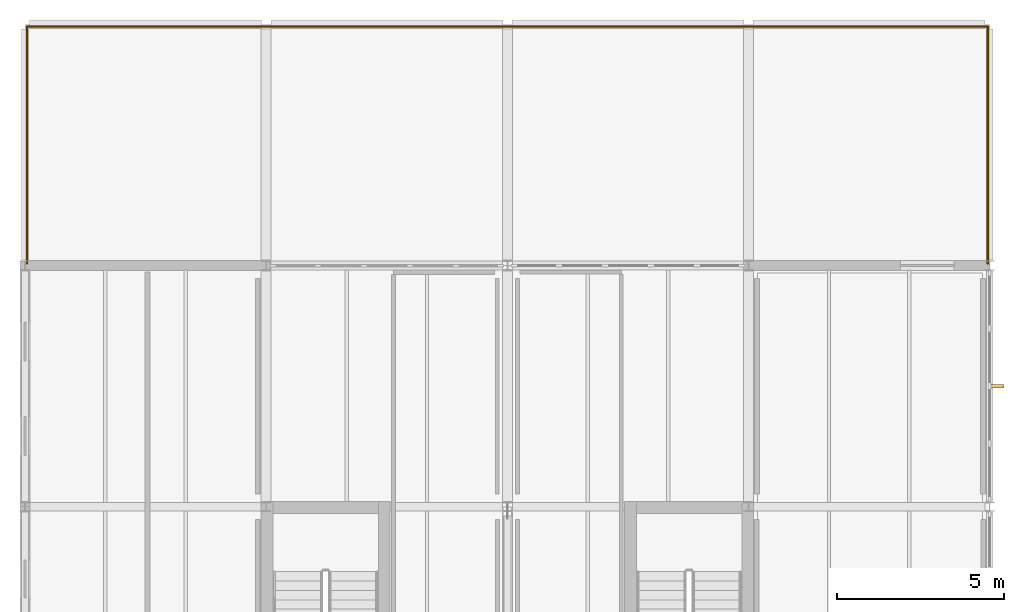
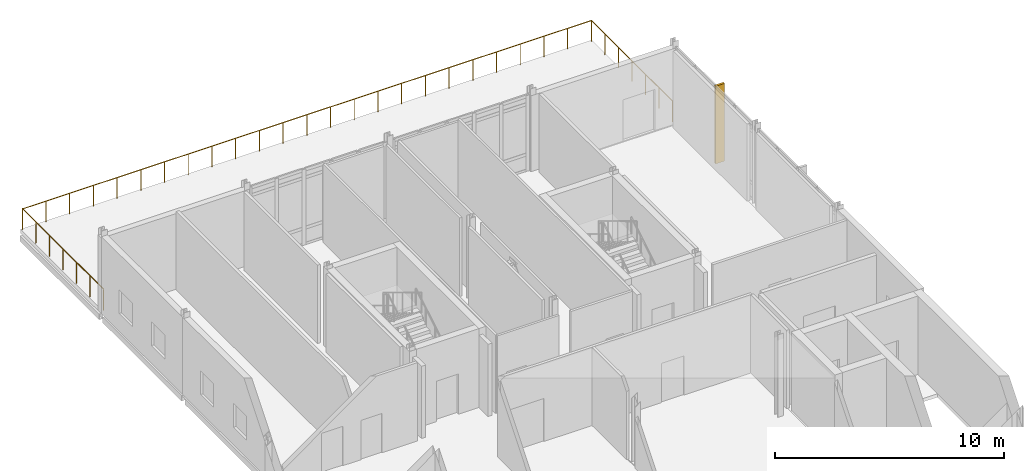
# One storey, part 12 of 12: 3 railings, 1 shading device.
"""IFC4 building model written with IfcOpenShell, lengths in metres."""

from ifc_helpers import new_model, si_unit, direction, frame, origin, origin_2d, place, context, subcontext, project, spatial, rectangle, circle, extrude, material, layer, layer_set, type_object, element, save


model = new_model("IFC4")

# Units and contexts
model_context = context("Model", 3, precision=1e-05, world=origin(), true_north=direction((0.0, 1.0)))
body_context = subcontext(model_context, "Body", "Model", "MODEL_VIEW")
ifc_project = project(units=[si_unit("LENGTHUNIT", "METRE"), si_unit("AREAUNIT", "SQUARE_METRE"), si_unit("VOLUMEUNIT", "CUBIC_METRE"), si_unit("PLANEANGLEUNIT", "RADIAN"), si_unit("MASSUNIT", "GRAM", prefix="KILO")], contexts=[model_context])

# Site, building, storey
site_placement = place(None, origin())
site = spatial("IfcSite", under=ifc_project, at=site_placement, CompositionType="ELEMENT")
building_placement = place(site_placement, origin())
building = spatial("IfcBuilding", under=site, at=building_placement, Name="Zarrinpeak Specialist Clinic", CompositionType="ELEMENT")
storey_placement = place(building_placement, frame((0.0, 0.0, 27.199951171875)))
storey = spatial("IfcBuildingStorey", under=building, at=storey_placement, Name="L06", CompositionType="ELEMENT", Elevation=27.199951171875)

# Railings
ifc_material_1 = material(Name="Powder-Coated Steel Post-and-Rail Balustrade", Category="steel")
ifc_layer_1 = layer(ifc_material_1, 0.06005859375)
ifc_layer_set_1 = layer_set([ifc_layer_1], Name="Powder-Coated Steel Post-and-Rail Balustrade")
railing_type_1 = type_object("IfcRailingType", Name="RL-BAL110", PredefinedType="BALUSTRADE", material=ifc_layer_set_1)
railing_1_placement = place(storey_placement, frame((0.06005859375, 43.139892578125, 0.0)))
element("IfcRailing", 1, at=railing_1_placement, inside=storey, type_object=railing_type_1, Name="L06 V1 Terrace Perimeter Guardrail GR-004", PredefinedType="BALUSTRADE", context=body_context, shape_type="SweptSolid", body=[
    extrude(circle(Radius=0.02392578125, at=origin_2d()), frame((0.0, 0.0, 1.09619140625), z_axis=(1.0, 0.0, 0.0), x_axis=(0.0, 1.0, 0.0)), (0.0, 0.0, 1.0), 28.679931640625),
    extrude(circle(Radius=0.02099609375, at=origin_2d()), origin(), (0.0, 0.0, 1.0), 1.072021484375),
    extrude(circle(Radius=0.02099609375, at=origin_2d()), frame((1.195068359375, 0.0, 0.0)), (0.0, 0.0, 1.0), 1.072021484375),
    extrude(circle(Radius=0.02099609375, at=origin_2d()), frame((2.389892578125, 0.0, 0.0)), (0.0, 0.0, 1.0), 1.072021484375),
    extrude(circle(Radius=0.02099609375, at=origin_2d()), frame((3.5849609375, 0.0, 0.0)), (0.0, 0.0, 1.0), 1.072021484375),
    extrude(circle(Radius=0.02099609375, at=origin_2d()), frame((4.780029296875, 0.0, 0.0)), (0.0, 0.0, 1.0), 1.072021484375),
    extrude(circle(Radius=0.02099609375, at=origin_2d()), frame((5.97509765625, 0.0, 0.0)), (0.0, 0.0, 1.0), 1.072021484375),
    extrude(circle(Radius=0.02099609375, at=origin_2d()), frame((7.169921875, 0.0, 0.0)), (0.0, 0.0, 1.0), 1.072021484375),
    extrude(circle(Radius=0.02099609375, at=origin_2d()), frame((8.364990234375, 0.0, 0.0)), (0.0, 0.0, 1.0), 1.072021484375),
    extrude(circle(Radius=0.02099609375, at=origin_2d()), frame((9.56005859375, 0.0, 0.0)), (0.0, 0.0, 1.0), 1.072021484375),
    extrude(circle(Radius=0.02099609375, at=origin_2d()), frame((10.7548828125, 0.0, 0.0)), (0.0, 0.0, 1.0), 1.072021484375),
    extrude(circle(Radius=0.02099609375, at=origin_2d()), frame((11.949951171875, 0.0, 0.0)), (0.0, 0.0, 1.0), 1.072021484375),
    extrude(circle(Radius=0.02099609375, at=origin_2d()), frame((13.14501953125, 0.0, 0.0)), (0.0, 0.0, 1.0), 1.072021484375),
    extrude(circle(Radius=0.02099609375, at=origin_2d()), frame((14.33984375, 0.0, 0.0)), (0.0, 0.0, 1.0), 1.072021484375),
    extrude(circle(Radius=0.02099609375, at=origin_2d()), frame((15.534912109375, 0.0, 0.0)), (0.0, 0.0, 1.0), 1.072021484375),
    extrude(circle(Radius=0.02099609375, at=origin_2d()), frame((16.72998046875, 0.0, 0.0)), (0.0, 0.0, 1.0), 1.072021484375),
    extrude(circle(Radius=0.02099609375, at=origin_2d()), frame((17.925048828125, 0.0, 0.0)), (0.0, 0.0, 1.0), 1.072021484375),
    extrude(circle(Radius=0.02099609375, at=origin_2d()), frame((19.119873046875, 0.0, 0.0)), (0.0, 0.0, 1.0), 1.072021484375),
    extrude(circle(Radius=0.02099609375, at=origin_2d()), frame((20.31494140625, 0.0, 0.0)), (0.0, 0.0, 1.0), 1.072021484375),
    extrude(circle(Radius=0.02099609375, at=origin_2d()), frame((21.510009765625, 0.0, 0.0)), (0.0, 0.0, 1.0), 1.072021484375),
    extrude(circle(Radius=0.02099609375, at=origin_2d()), frame((22.704833984375, 0.0, 0.0)), (0.0, 0.0, 1.0), 1.072021484375),
    extrude(circle(Radius=0.02099609375, at=origin_2d()), frame((23.89990234375, 0.0, 0.0)), (0.0, 0.0, 1.0), 1.072021484375),
    extrude(circle(Radius=0.02099609375, at=origin_2d()), frame((25.094970703125, 0.0, 0.0)), (0.0, 0.0, 1.0), 1.072021484375),
    extrude(circle(Radius=0.02099609375, at=origin_2d()), frame((26.2900390625, 0.0, 0.0)), (0.0, 0.0, 1.0), 1.072021484375),
    extrude(circle(Radius=0.02099609375, at=origin_2d()), frame((27.48486328125, 0.0, 0.0)), (0.0, 0.0, 1.0), 1.072021484375),
    extrude(circle(Radius=0.02099609375, at=origin_2d()), frame((28.679931640625, 0.0, 0.0)), (0.0, 0.0, 1.0), 1.072021484375),
])
railing_2_placement = place(storey_placement, frame((28.739990234375, 36.06005859375, 0.0)))
element("IfcRailing", 2, at=railing_2_placement, inside=storey, type_object=railing_type_1, Name="L06 V1 Terrace Perimeter Guardrail GR-006", PredefinedType="BALUSTRADE", context=body_context, shape_type="SweptSolid", body=[
    extrude(circle(Radius=0.02392578125, at=origin_2d()), frame((0.0, 0.0, 1.09619140625), z_axis=(0.0, 1.0, 0.0), x_axis=(-1.0, 0.0, 0.0)), (0.0, 0.0, 1.0), 7.079833984375),
    extrude(circle(Radius=0.02099609375, at=origin_2d()), origin(), (0.0, 0.0, 1.0), 1.072021484375),
    extrude(circle(Radius=0.02099609375, at=origin_2d()), frame((0.0, 1.179931640625, 0.0)), (0.0, 0.0, 1.0), 1.072021484375),
    extrude(circle(Radius=0.02099609375, at=origin_2d()), frame((0.0, 2.35986328125, 0.0)), (0.0, 0.0, 1.0), 1.072021484375),
    extrude(circle(Radius=0.02099609375, at=origin_2d()), frame((0.0, 3.5400390625, 0.0)), (0.0, 0.0, 1.0), 1.072021484375),
    extrude(circle(Radius=0.02099609375, at=origin_2d()), frame((0.0, 4.719970703125, 0.0)), (0.0, 0.0, 1.0), 1.072021484375),
    extrude(circle(Radius=0.02099609375, at=origin_2d()), frame((0.0, 5.89990234375, 0.0)), (0.0, 0.0, 1.0), 1.072021484375),
    extrude(circle(Radius=0.02099609375, at=origin_2d()), frame((0.0, 7.079833984375, 0.0)), (0.0, 0.0, 1.0), 1.072021484375),
])
ifc_material_2 = material(Name="Laminated Safety Glass and Stainless Steel 316", Category="steel")
ifc_layer_2 = layer(ifc_material_2, 0.06005859375)
ifc_layer_set_2 = layer_set([ifc_layer_2], Name="Laminated Safety Glass and Stainless Steel 316")
railing_type_2 = type_object("IfcRailingType", Name="RL-GRD115", PredefinedType="GUARDRAIL", material=ifc_layer_set_2)
railing_3_placement = place(storey_placement, frame((0.06005859375, 36.06005859375, 0.0)))
element("IfcRailing", 3, at=railing_3_placement, inside=storey, type_object=railing_type_2, Name="L06 V1 Terrace Perimeter Guardrail GR-005", PredefinedType="GUARDRAIL", context=body_context, shape_type="SweptSolid", body=[
    extrude(circle(Radius=0.02392578125, at=origin_2d()), frame((0.0, 0.0, 1.1259765625), z_axis=(0.0, 1.0, 0.0), x_axis=(-1.0, 0.0, 0.0)), (0.0, 0.0, 1.0), 7.079833984375),
    extrude(circle(Radius=0.02099609375, at=origin_2d()), origin(), (0.0, 0.0, 1.0), 1.101806640625),
    extrude(circle(Radius=0.02099609375, at=origin_2d()), frame((0.0, 1.179931640625, 0.0)), (0.0, 0.0, 1.0), 1.101806640625),
    extrude(circle(Radius=0.02099609375, at=origin_2d()), frame((0.0, 2.35986328125, 0.0)), (0.0, 0.0, 1.0), 1.101806640625),
    extrude(circle(Radius=0.02099609375, at=origin_2d()), frame((0.0, 3.5400390625, 0.0)), (0.0, 0.0, 1.0), 1.101806640625),
    extrude(circle(Radius=0.02099609375, at=origin_2d()), frame((0.0, 4.719970703125, 0.0)), (0.0, 0.0, 1.0), 1.101806640625),
    extrude(circle(Radius=0.02099609375, at=origin_2d()), frame((0.0, 5.89990234375, 0.0)), (0.0, 0.0, 1.0), 1.101806640625),
    extrude(circle(Radius=0.02099609375, at=origin_2d()), frame((0.0, 7.079833984375, 0.0)), (0.0, 0.0, 1.0), 1.101806640625),
])

# Shading device
ifc_material_3 = material(Name="Glulam GL28h", Category="wood")
shading_device_type = type_object("IfcShadingDeviceType", Name="SHD-FIN-GL", PredefinedType="USERDEFINED", material=ifc_material_3)
shading_device_placement = place(storey_placement, frame((29.0, 32.39990234375, -0.01513671875), z_axis=(0.0, 0.0, 1.0), x_axis=(1.0, 0.0, 0.0)))
element("IfcShadingDevice", 4, at=shading_device_placement, inside=storey, type_object=shading_device_type, Name="L06 V1 Cedar-Glulam Courtyard Fin FIN-025", ObjectType="SUNSHADE", PredefinedType="USERDEFINED", context=body_context, shape_type="SweptSolid", body=[
    extrude(rectangle(XDim=0.449951171875, YDim=0.110107421875, at=origin_2d()), origin(), (0.0, 0.0, 1.0), 4.139892578125),
])

save(model, "model.ifc")
